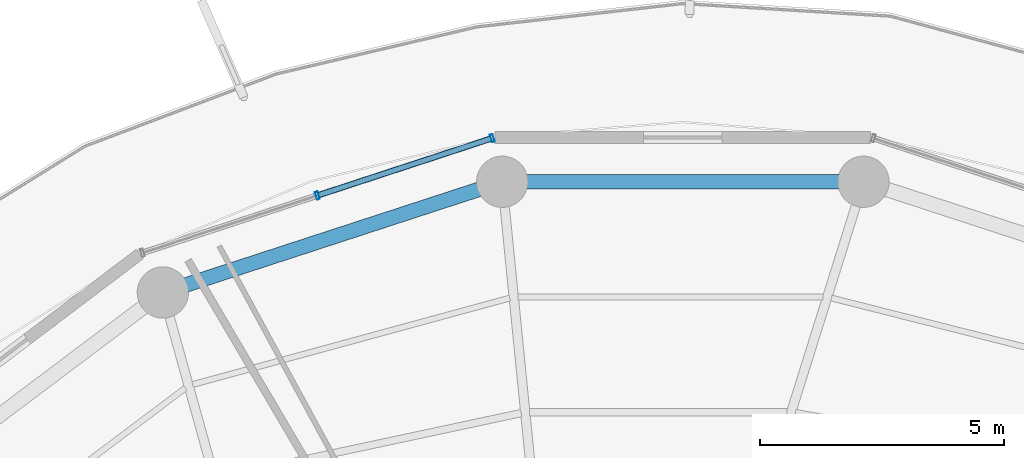
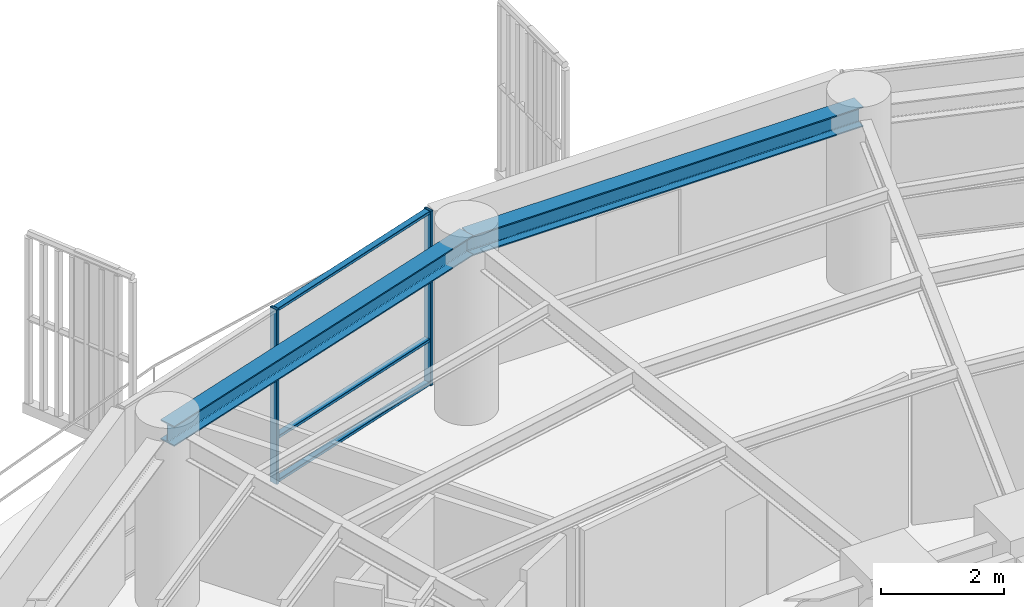
# One storey, part 20 of 31: 5 members, 2 beams, 1 element without a shape of its own.
"""IFC4 building model written with IfcOpenShell, lengths in metres."""

from ifc_helpers import new_model, si_unit, direction, frame, origin, origin_2d, place, context, subcontext, project, spatial, hollow_rectangle, i_section, extrude, material, layer, layer_set, material_profile, profile_set, type_object, element, aggregate, save


model = new_model("IFC4")

# Units and contexts
model_context = context("Model", 3, precision=1e-05, world=origin(), true_north=direction((0.0, 1.0)))
body_context = subcontext(model_context, "Body", "Model", "MODEL_VIEW")
ifc_project = project(units=[si_unit("LENGTHUNIT", "METRE"), si_unit("AREAUNIT", "SQUARE_METRE"), si_unit("VOLUMEUNIT", "CUBIC_METRE"), si_unit("PLANEANGLEUNIT", "RADIAN"), si_unit("MASSUNIT", "GRAM", prefix="KILO")], contexts=[model_context])

# Site, building, storey
site_placement = place(None, origin())
site = spatial("IfcSite", under=ifc_project, at=site_placement, CompositionType="ELEMENT")
building_placement = place(site_placement, origin())
building = spatial("IfcBuilding", under=site, at=building_placement, Name="Kelanora Arch Commons", CompositionType="ELEMENT")
storey_placement = place(building_placement, frame((0.0, 0.0, 193.199951171875)))
storey = spatial("IfcBuildingStorey", under=building, at=storey_placement, Name="L49", CompositionType="ELEMENT", Elevation=193.199951171875)

# Beams
ifc_material_1 = material(Name="Steel S355", Category="steel")
ifc_material_profile_1 = material_profile(ifc_material_1, i_section(OverallWidth=0.300048828125, OverallDepth=0.39990234375, WebThickness=0.013427734375, FlangeThickness=0.02392578125, FilletRadius=0.027099609375, at=origin_2d()), Name="HEB400")
ifc_profile_set_1 = profile_set([ifc_material_profile_1], Name="Steel S355")
beam_type = type_object("IfcBeamType", Name="BM-SPN-Z4", PredefinedType="SPANDREL", material=ifc_profile_set_1)
beam_1_placement = place(storey_placement, frame((77.6953125, 76.7900390625, 3.2900390625), z_axis=(-1.0, 0.0, 0.0), x_axis=(0.0, -1.0, 0.0)))
element("IfcBeam", 1, at=beam_1_placement, inside=storey, type_object=beam_type, Name="Perimeter Spandrel Beam BS-08 L49", PredefinedType="SPANDREL", context=body_context, shape_type="SweptSolid", body=[
    extrude(i_section(OverallWidth=0.300048828125, OverallDepth=0.39990234375, WebThickness=0.013427734375, FlangeThickness=0.02392578125, FilletRadius=0.027099609375, at=origin_2d()), origin(), (0.0, 0.0, 1.0), 7.390625),
])
beam_2_placement = place(storey_placement, frame((70.3046875, 76.7900390625, 3.2900390625), z_axis=(-0.950656361143, -0.310245842872, 0.0), x_axis=(0.310245842872, -0.950656361143, 0.0)))
element("IfcBeam", 2, at=beam_2_placement, inside=storey, type_object=beam_type, Name="Perimeter Spandrel Beam BS-10 L49", PredefinedType="SPANDREL", context=body_context, shape_type="SweptSolid", body=[
    extrude(i_section(OverallWidth=0.300048828125, OverallDepth=0.39990234375, WebThickness=0.013427734375, FlangeThickness=0.02392578125, FilletRadius=0.027099609375, at=origin_2d()), origin(), (0.0, 0.0, 1.0), 7.304931640625),
])

# Curtain wall, members
ifc_material_2 = material(Name="Terracotta ceramic-fritted low-E glass and aluminium", Category="masonry")
ifc_layer = layer(ifc_material_2, 0.175048828125)
ifc_layer_set = layer_set([ifc_layer], Name="Terracotta ceramic-fritted low-E glass and aluminium")
curtain_wall_type = type_object("IfcCurtainWallType", Name="CW-SYS-02", PredefinedType="NOTDEFINED", material=ifc_layer_set)
curtain_wall_placement = place(storey_placement, origin())
curtain_wall = element("IfcCurtainWall", 3, at=curtain_wall_placement, inside=storey, type_object=curtain_wall_type, Name="Unitised Curtain Wall L49-B05", PredefinedType="NOTDEFINED")
ifc_material_3 = material(Name="Powder-coated aluminium terracotta", Category="masonry")
ifc_material_profile_2 = material_profile(ifc_material_3, hollow_rectangle(XDim=0.159912109375, YDim=0.06005859375, WallThickness=0.0048828125, InnerFilletRadius=0.0048828125, OuterFilletRadius=0.010009765625, at=origin_2d()), Name="CWM160x60")
ifc_profile_set_2 = profile_set([ifc_material_profile_2], Name="Powder-coated aluminium terracotta")
member_type_1 = type_object("IfcMemberType", Name="CWM-STD", PredefinedType="MULLION", material=ifc_profile_set_2)
member_1_placement = place(storey_placement, frame((70.102294921875, 77.68212890625, 0.0), z_axis=(0.0, 0.0, 1.0), x_axis=(0.311582439059, -0.950219124029, 0.0)))
member_1 = element("IfcMember", 4, at=member_1_placement, type_object=member_type_1, Name="CW-02 mullion 1", PredefinedType="MULLION", context=body_context, shape_type="SweptSolid", body=[
    extrude(hollow_rectangle(XDim=0.159912109375, YDim=0.06005859375, WallThickness=0.0048828125, InnerFilletRadius=0.0048828125, OuterFilletRadius=0.010009765625, at=origin_2d()), origin(), (0.0, 0.0, 1.0), 3.47509765625),
])
member_2_placement = place(storey_placement, frame((66.5224609375, 76.50830078125, 0.0), z_axis=(0.0, 0.0, 1.0), x_axis=(0.311582439059, -0.950219124029, 0.0)))
member_2 = element("IfcMember", 5, at=member_2_placement, type_object=member_type_1, Name="CW-02 mullion 2", PredefinedType="MULLION", context=body_context, shape_type="SweptSolid", body=[
    extrude(hollow_rectangle(XDim=0.159912109375, YDim=0.06005859375, WallThickness=0.0048828125, InnerFilletRadius=0.0048828125, OuterFilletRadius=0.010009765625, at=origin_2d()), origin(), (0.0, 0.0, 1.0), 3.47509765625),
])
ifc_material_profile_3 = material_profile(ifc_material_3, hollow_rectangle(XDim=0.1201171875, YDim=0.06005859375, WallThickness=0.0048828125, InnerFilletRadius=0.0048828125, OuterFilletRadius=0.010009765625, at=origin_2d()), Name="CWT120x60")
ifc_profile_set_3 = profile_set([ifc_material_profile_3], Name="Powder-coated aluminium terracotta")
member_type_2 = type_object("IfcMemberType", Name="CWT-STD", PredefinedType="USERDEFINED", material=ifc_profile_set_3)
member_3_placement = place(storey_placement, frame((70.07373046875, 77.6728515625, 0.030029296875), z_axis=(-0.950206527055, -0.311620852867, 0.0), x_axis=(0.311620852867, -0.950206527055, 0.0)))
member_3 = element("IfcMember", 6, at=member_3_placement, type_object=member_type_2, Name="CW-02 transom 1.1", ObjectType="TRANSOM", PredefinedType="USERDEFINED", context=body_context, shape_type="SweptSolid", body=[
    extrude(hollow_rectangle(XDim=0.1201171875, YDim=0.06005859375, WallThickness=0.0048828125, InnerFilletRadius=0.0048828125, OuterFilletRadius=0.010009765625, at=origin_2d()), origin(), (0.0, 0.0, 1.0), 3.707275390625),
])
member_4_placement = place(storey_placement, frame((70.07373046875, 77.6728515625, 0.900146484375), z_axis=(-0.950206527055, -0.311620852867, 0.0), x_axis=(0.311620852867, -0.950206527055, 0.0)))
member_4 = element("IfcMember", 7, at=member_4_placement, type_object=member_type_2, Name="CW-02 transom 1.2", ObjectType="TRANSOM", PredefinedType="USERDEFINED", context=body_context, shape_type="SweptSolid", body=[
    extrude(hollow_rectangle(XDim=0.1201171875, YDim=0.06005859375, WallThickness=0.0048828125, InnerFilletRadius=0.0048828125, OuterFilletRadius=0.010009765625, at=origin_2d()), origin(), (0.0, 0.0, 1.0), 3.707275390625),
])
member_5_placement = place(storey_placement, frame((70.07373046875, 77.6728515625, 3.445068359375), z_axis=(-0.950206527055, -0.311620852867, 0.0), x_axis=(0.311620852867, -0.950206527055, 0.0)))
member_5 = element("IfcMember", 8, at=member_5_placement, type_object=member_type_2, Name="CW-02 transom 1.3", ObjectType="TRANSOM", PredefinedType="USERDEFINED", context=body_context, shape_type="SweptSolid", body=[
    extrude(hollow_rectangle(XDim=0.1201171875, YDim=0.06005859375, WallThickness=0.0048828125, InnerFilletRadius=0.0048828125, OuterFilletRadius=0.010009765625, at=origin_2d()), origin(), (0.0, 0.0, 1.0), 3.707275390625),
])
aggregate(curtain_wall, [member_1, member_2, member_3, member_4, member_5])

save(model, "model.ifc")
